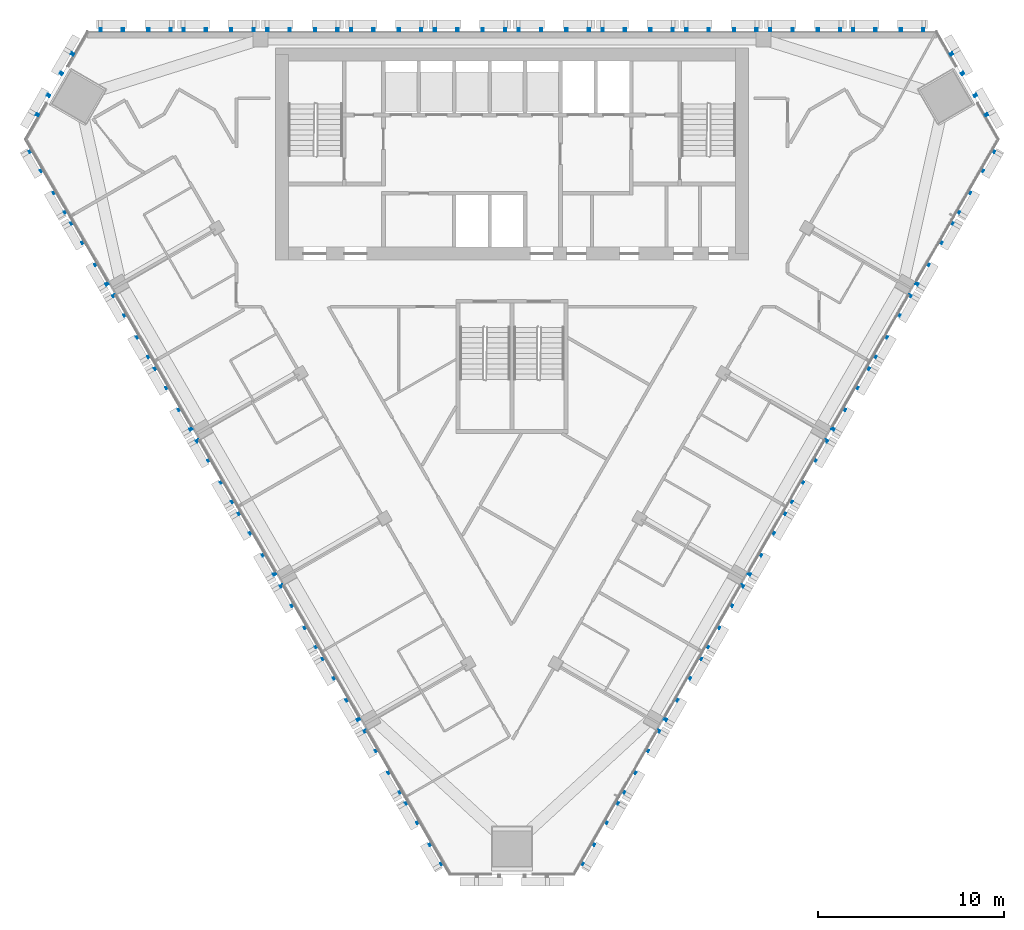
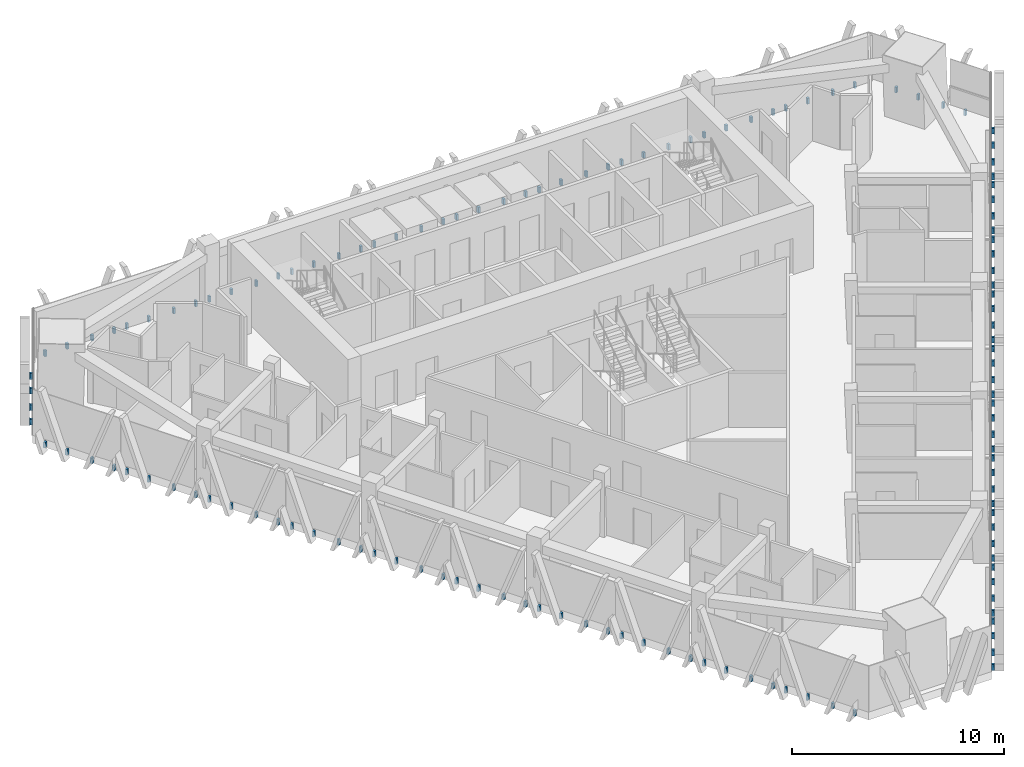
# One storey, part 13 of 16: 5 discrete accessories.
"""IFC4 building model written with IfcOpenShell, lengths in metres."""

from ifc_helpers import new_model, si_unit, direction, frame, origin, place, context, subcontext, project, spatial, polyline, outline, extrude, source, transform, mapped, material, type_object, element, save


model = new_model("IFC4")

# Units and contexts
model_context = context("Model", 3, precision=1e-05, world=origin(), true_north=direction((0.0, 1.0)))
body_context = subcontext(model_context, "Body", "Model", "MODEL_VIEW")
ifc_project = project(units=[si_unit("LENGTHUNIT", "METRE"), si_unit("AREAUNIT", "SQUARE_METRE"), si_unit("VOLUMEUNIT", "CUBIC_METRE"), si_unit("PLANEANGLEUNIT", "RADIAN"), si_unit("MASSUNIT", "GRAM", prefix="KILO")], contexts=[model_context])

# Site, building, storey
site_placement = place(None, origin())
site = spatial("IfcSite", under=ifc_project, at=site_placement, CompositionType="ELEMENT")
building_placement = place(site_placement, origin())
building = spatial("IfcBuilding", under=site, at=building_placement, Name="Altiplano Prism Tower", CompositionType="ELEMENT")
storey_placement = place(building_placement, frame((0.0, 0.0, 181.800048828125)))
storey = spatial("IfcBuildingStorey", under=building, at=storey_placement, Name="L47", CompositionType="ELEMENT", Elevation=181.800048828125)

# Discrete accessories
ifc_material = material(Name="Stainless steel", Category="steel")
discrete_accessory_type = type_object("IfcDiscreteAccessoryType", Name="Stone fin fixing prongs", PredefinedType="USERDEFINED", material=ifc_material)
shared_shape_1 = source(origin(), body_context, "Body", "SweptSolid", [
    extrude(outline(polyline([(-1.94189453125, 0.06005859375), (-1.822021484375, 0.06005859375), (-1.822021484375, 0.389892578125), (-1.94189453125, 0.389892578125), (-1.94189453125, 0.06005859375)])), frame((0.0, 0.0, 0.0), z_axis=(0.0, -1.0, 0.0), x_axis=(1.0, 0.0, 0.0)), (0.0, 0.0, 1.0), 0.14990234375),
    extrude(outline(polyline([(-0.741943359375, 0.06005859375), (-0.621826171875, 0.06005859375), (-0.621826171875, 0.389892578125), (-0.741943359375, 0.389892578125), (-0.741943359375, 0.06005859375)])), frame((0.0, 0.0, 0.0), z_axis=(0.0, -1.0, 0.0), x_axis=(1.0, 0.0, 0.0)), (0.0, 0.0, 1.0), 0.14990234375),
    extrude(outline(polyline([(0.621826171875, 0.06005859375), (0.741943359375, 0.06005859375), (0.741943359375, 0.389892578125), (0.621826171875, 0.389892578125), (0.621826171875, 0.06005859375)])), frame((0.0, 0.0, 0.0), z_axis=(0.0, -1.0, 0.0), x_axis=(1.0, 0.0, 0.0)), (0.0, 0.0, 1.0), 0.14990234375),
    extrude(outline(polyline([(1.822021484375, 0.06005859375), (1.94189453125, 0.06005859375), (1.94189453125, 0.389892578125), (1.822021484375, 0.389892578125), (1.822021484375, 0.06005859375)])), frame((0.0, 0.0, 0.0), z_axis=(0.0, -1.0, 0.0), x_axis=(1.0, 0.0, 0.0)), (0.0, 0.0, 1.0), 0.14990234375),
])
discrete_accessory_1_placement = place(storey_placement, origin())
element("IfcDiscreteAccessory", 1, at=discrete_accessory_1_placement, inside=storey, type_object=discrete_accessory_type, Name="Fin fixings L47 north-west chamfer", ObjectType="BRACKET", PredefinedType="USERDEFINED", context=body_context, shape_type="MappedRepresentation", body=[
    mapped(shared_shape_1, transform((60.523681640625, 102.10302734375, -0.449951171875), x_axis=(-0.499999911823, -0.866025454693, 0.0), y_axis=(0.866025454693, -0.499999911823, 0.0), z_axis=(0.0, 0.0, 1.0))),
])
discrete_accessory_2_placement = place(storey_placement, origin())
element("IfcDiscreteAccessory", 2, at=discrete_accessory_2_placement, inside=storey, type_object=discrete_accessory_type, Name="Fin fixings L47 north-east chamfer", ObjectType="BRACKET", PredefinedType="USERDEFINED", context=body_context, shape_type="MappedRepresentation", body=[
    mapped(shared_shape_1, transform((109.476318359375, 102.10302734375, -0.449951171875), x_axis=(-0.499999911823, 0.866025454693, 0.0), y_axis=(-0.866025454693, -0.499999911823, 0.0), z_axis=(0.0, 0.0, 1.0))),
])
shared_shape_2 = source(origin(), body_context, "Body", "SweptSolid", [
    extrude(outline(polyline([(-1.94189453125, 0.06005859375), (-1.822021484375, 0.06005859375), (-1.822021484375, 0.389892578125), (-1.94189453125, 0.389892578125), (-1.94189453125, 0.06005859375)])), frame((0.0, 0.0, 0.0), z_axis=(0.0, -1.0, 0.0), x_axis=(1.0, 0.0, 0.0)), (0.0, 0.0, 1.0), 0.14990234375),
    extrude(outline(polyline([(-0.741943359375, 0.06005859375), (-0.621826171875, 0.06005859375), (-0.621826171875, 0.389892578125), (-0.741943359375, 0.389892578125), (-0.741943359375, 0.06005859375)])), frame((0.0, 0.0, 0.0), z_axis=(0.0, -1.0, 0.0), x_axis=(1.0, 0.0, 0.0)), (0.0, 0.0, 1.0), 0.14990234375),
    extrude(outline(polyline([(0.621826171875, 0.06005859375), (0.741943359375, 0.06005859375), (0.741943359375, 0.389892578125), (0.621826171875, 0.389892578125), (0.621826171875, 0.06005859375)])), frame((0.0, 0.0, 0.0), z_axis=(0.0, -1.0, 0.0), x_axis=(1.0, 0.0, 0.0)), (0.0, 0.0, 1.0), 0.14990234375),
    extrude(outline(polyline([(1.822021484375, 0.06005859375), (1.94189453125, 0.06005859375), (1.94189453125, 0.389892578125), (1.822021484375, 0.389892578125), (1.822021484375, 0.06005859375)])), frame((0.0, 0.0, 0.0), z_axis=(0.0, -1.0, 0.0), x_axis=(1.0, 0.0, 0.0)), (0.0, 0.0, 1.0), 0.14990234375),
])
shared_shape_3 = source(origin(), body_context, "Body", "SweptSolid", [
    extrude(outline(polyline([(-1.94189453125, 0.06005859375), (-1.822021484375, 0.06005859375), (-1.822021484375, 0.389892578125), (-1.94189453125, 0.389892578125), (-1.94189453125, 0.06005859375)])), frame((0.0, 0.0, 0.0), z_axis=(0.0, -1.0, 0.0), x_axis=(1.0, 0.0, 0.0)), (0.0, 0.0, 1.0), 0.14990234375),
    extrude(outline(polyline([(-0.741943359375, 0.06005859375), (-0.621826171875, 0.06005859375), (-0.621826171875, 0.389892578125), (-0.741943359375, 0.389892578125), (-0.741943359375, 0.06005859375)])), frame((0.0, 0.0, 0.0), z_axis=(0.0, -1.0, 0.0), x_axis=(1.0, 0.0, 0.0)), (0.0, 0.0, 1.0), 0.14990234375),
    extrude(outline(polyline([(0.621826171875, 0.06005859375), (0.741943359375, 0.06005859375), (0.741943359375, 0.389892578125), (0.621826171875, 0.389892578125), (0.621826171875, 0.06005859375)])), frame((0.0, 0.0, 0.0), z_axis=(0.0, -1.0, 0.0), x_axis=(1.0, 0.0, 0.0)), (0.0, 0.0, 1.0), 0.14990234375),
    extrude(outline(polyline([(1.822021484375, 0.06005859375), (1.94189453125, 0.06005859375), (1.94189453125, 0.389892578125), (1.822021484375, 0.389892578125), (1.822021484375, 0.06005859375)])), frame((0.0, 0.0, 0.0), z_axis=(0.0, -1.0, 0.0), x_axis=(1.0, 0.0, 0.0)), (0.0, 0.0, 1.0), 0.14990234375),
])
discrete_accessory_3_placement = place(storey_placement, origin())
element("IfcDiscreteAccessory", 3, at=discrete_accessory_3_placement, inside=storey, type_object=discrete_accessory_type, Name="Fin fixings L47 north face", ObjectType="BRACKET", PredefinedType="USERDEFINED", context=body_context, shape_type="MappedRepresentation", body=[
    mapped(shared_shape_2, transform((105.201904296875, 105.0, -0.449951171875), x_axis=(-1.0, 0.0, 0.0), y_axis=(0.0, -1.0, 0.0), z_axis=(0.0, 0.0, 1.0))),
    mapped(shared_shape_3, transform((100.75, 105.0, -0.449951171875), x_axis=(-1.0, 0.0, 0.0), y_axis=(0.0, -1.0, 0.0), z_axis=(0.0, 0.0, 1.0))),
    mapped(shared_shape_3, transform((96.25, 105.0, -0.449951171875), x_axis=(-1.0, 0.0, 0.0), y_axis=(0.0, -1.0, 0.0), z_axis=(0.0, 0.0, 1.0))),
    mapped(shared_shape_3, transform((91.75, 105.0, -0.449951171875), x_axis=(-1.0, 0.0, 0.0), y_axis=(0.0, -1.0, 0.0), z_axis=(0.0, 0.0, 1.0))),
    mapped(shared_shape_3, transform((87.25, 105.0, -0.449951171875), x_axis=(-1.0, 0.0, 0.0), y_axis=(0.0, -1.0, 0.0), z_axis=(0.0, 0.0, 1.0))),
    mapped(shared_shape_3, transform((82.75, 105.0, -0.449951171875), x_axis=(-1.0, 0.0, 0.0), y_axis=(0.0, -1.0, 0.0), z_axis=(0.0, 0.0, 1.0))),
    mapped(shared_shape_3, transform((78.25, 105.0, -0.449951171875), x_axis=(-1.0, 0.0, 0.0), y_axis=(0.0, -1.0, 0.0), z_axis=(0.0, 0.0, 1.0))),
    mapped(shared_shape_3, transform((73.75, 105.0, -0.449951171875), x_axis=(-1.0, 0.0, 0.0), y_axis=(0.0, -1.0, 0.0), z_axis=(0.0, 0.0, 1.0))),
    mapped(shared_shape_3, transform((69.25, 105.0, -0.449951171875), x_axis=(-1.0, 0.0, 0.0), y_axis=(0.0, -1.0, 0.0), z_axis=(0.0, 0.0, 1.0))),
    mapped(shared_shape_2, transform((64.798095703125, 105.0, -0.449951171875), x_axis=(-1.0, 0.0, 0.0), y_axis=(0.0, -1.0, 0.0), z_axis=(0.0, 0.0, 1.0))),
])
discrete_accessory_4_placement = place(storey_placement, origin())
element("IfcDiscreteAccessory", 4, at=discrete_accessory_4_placement, inside=storey, type_object=discrete_accessory_type, Name="Fin fixings L47 south-west face", ObjectType="BRACKET", PredefinedType="USERDEFINED", context=body_context, shape_type="MappedRepresentation", body=[
    mapped(shared_shape_2, transform((60.152099609375, 96.952880859375, -0.449951171875), x_axis=(0.499999990992, -0.866025408985, 0.0), y_axis=(0.866025408985, 0.499999990992, 0.0), z_axis=(0.0, 0.0, 1.0))),
    mapped(shared_shape_3, transform((62.3779296875, 93.097412109375, -0.449951171875), x_axis=(0.499999990992, -0.866025408985, 0.0), y_axis=(0.866025408985, 0.499999990992, 0.0), z_axis=(0.0, 0.0, 1.0))),
    mapped(shared_shape_3, transform((64.6279296875, 89.2001953125, -0.449951171875), x_axis=(0.499999990992, -0.866025408985, 0.0), y_axis=(0.866025408985, 0.499999990992, 0.0), z_axis=(0.0, 0.0, 1.0))),
    mapped(shared_shape_3, transform((66.8779296875, 85.30322265625, -0.449951171875), x_axis=(0.499999990992, -0.866025408985, 0.0), y_axis=(0.866025408985, 0.499999990992, 0.0), z_axis=(0.0, 0.0, 1.0))),
    mapped(shared_shape_3, transform((69.1279296875, 81.406005859375, -0.449951171875), x_axis=(0.499999990992, -0.866025408985, 0.0), y_axis=(0.866025408985, 0.499999990992, 0.0), z_axis=(0.0, 0.0, 1.0))),
    mapped(shared_shape_3, transform((71.3779296875, 77.509033203125, -0.449951171875), x_axis=(0.499999990992, -0.866025408985, 0.0), y_axis=(0.866025408985, 0.499999990992, 0.0), z_axis=(0.0, 0.0, 1.0))),
    mapped(shared_shape_3, transform((73.6279296875, 73.61181640625, -0.449951171875), x_axis=(0.499999990992, -0.866025408985, 0.0), y_axis=(0.866025408985, 0.499999990992, 0.0), z_axis=(0.0, 0.0, 1.0))),
    mapped(shared_shape_3, transform((75.8779296875, 69.714599609375, -0.449951171875), x_axis=(0.499999990992, -0.866025408985, 0.0), y_axis=(0.866025408985, 0.499999990992, 0.0), z_axis=(0.0, 0.0, 1.0))),
    mapped(shared_shape_3, transform((78.1279296875, 65.817626953125, -0.449951171875), x_axis=(0.499999990992, -0.866025408985, 0.0), y_axis=(0.866025408985, 0.499999990992, 0.0), z_axis=(0.0, 0.0, 1.0))),
    mapped(shared_shape_2, transform((80.35400390625, 61.962158203125, -0.449951171875), x_axis=(0.499999990992, -0.866025408985, 0.0), y_axis=(0.866025408985, 0.499999990992, 0.0), z_axis=(0.0, 0.0, 1.0))),
])
discrete_accessory_5_placement = place(storey_placement, origin())
element("IfcDiscreteAccessory", 5, at=discrete_accessory_5_placement, inside=storey, type_object=discrete_accessory_type, Name="Fin fixings L47 south-east face", ObjectType="BRACKET", PredefinedType="USERDEFINED", context=body_context, shape_type="MappedRepresentation", body=[
    mapped(shared_shape_2, transform((89.64599609375, 61.962158203125, -0.449951171875), x_axis=(0.499999990992, 0.866025408985, 0.0), y_axis=(-0.866025408985, 0.499999990992, 0.0), z_axis=(0.0, 0.0, 1.0))),
    mapped(shared_shape_3, transform((91.8720703125, 65.817626953125, -0.449951171875), x_axis=(0.499999990992, 0.866025408985, 0.0), y_axis=(-0.866025408985, 0.499999990992, 0.0), z_axis=(0.0, 0.0, 1.0))),
    mapped(shared_shape_3, transform((94.1220703125, 69.714599609375, -0.449951171875), x_axis=(0.499999990992, 0.866025408985, 0.0), y_axis=(-0.866025408985, 0.499999990992, 0.0), z_axis=(0.0, 0.0, 1.0))),
    mapped(shared_shape_3, transform((96.3720703125, 73.61181640625, -0.449951171875), x_axis=(0.499999990992, 0.866025408985, 0.0), y_axis=(-0.866025408985, 0.499999990992, 0.0), z_axis=(0.0, 0.0, 1.0))),
    mapped(shared_shape_3, transform((98.6220703125, 77.509033203125, -0.449951171875), x_axis=(0.499999990992, 0.866025408985, 0.0), y_axis=(-0.866025408985, 0.499999990992, 0.0), z_axis=(0.0, 0.0, 1.0))),
    mapped(shared_shape_3, transform((100.8720703125, 81.406005859375, -0.449951171875), x_axis=(0.499999990992, 0.866025408985, 0.0), y_axis=(-0.866025408985, 0.499999990992, 0.0), z_axis=(0.0, 0.0, 1.0))),
    mapped(shared_shape_3, transform((103.1220703125, 85.30322265625, -0.449951171875), x_axis=(0.499999990992, 0.866025408985, 0.0), y_axis=(-0.866025408985, 0.499999990992, 0.0), z_axis=(0.0, 0.0, 1.0))),
    mapped(shared_shape_3, transform((105.3720703125, 89.2001953125, -0.449951171875), x_axis=(0.499999990992, 0.866025408985, 0.0), y_axis=(-0.866025408985, 0.499999990992, 0.0), z_axis=(0.0, 0.0, 1.0))),
    mapped(shared_shape_3, transform((107.6220703125, 93.097412109375, -0.449951171875), x_axis=(0.499999990992, 0.866025408985, 0.0), y_axis=(-0.866025408985, 0.499999990992, 0.0), z_axis=(0.0, 0.0, 1.0))),
    mapped(shared_shape_2, transform((109.847900390625, 96.952880859375, -0.449951171875), x_axis=(0.499999990992, 0.866025408985, 0.0), y_axis=(-0.866025408985, 0.499999990992, 0.0), z_axis=(0.0, 0.0, 1.0))),
])

save(model, "model.ifc")
